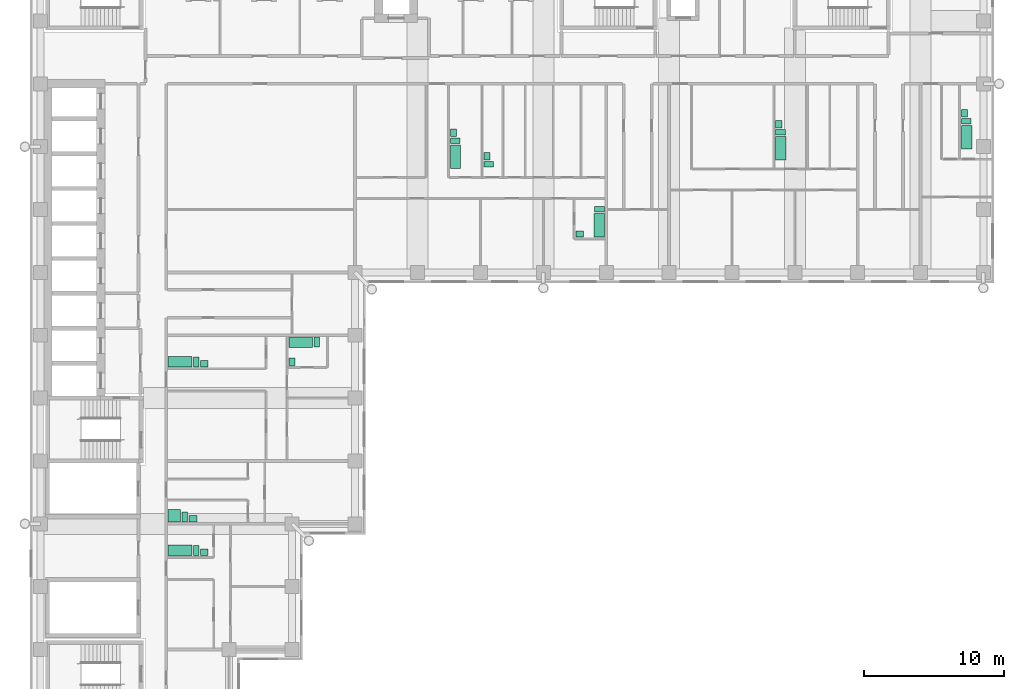
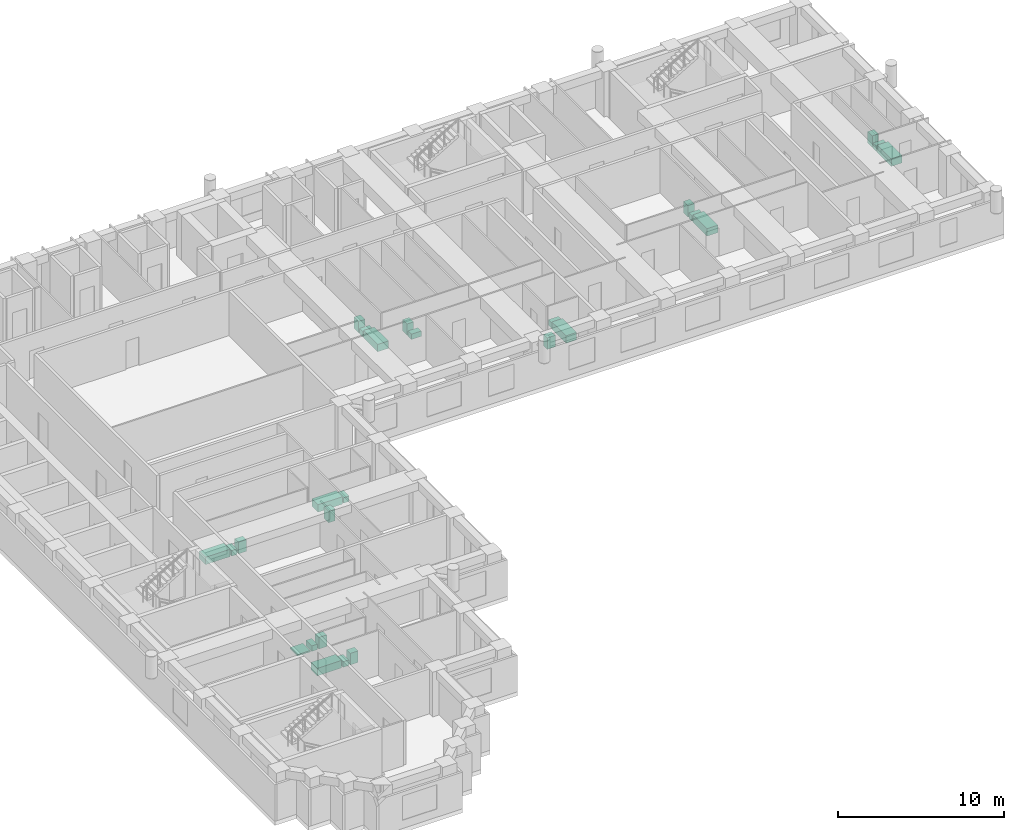
# One storey, part 14 of 14: 26 sanitary terminals.
"""IFC4 building model written with IfcOpenShell, lengths in metres."""

from ifc_helpers import new_model, si_unit, direction, frame, origin, origin_2d, place, context, subcontext, project, spatial, rectangle, extrude, material, type_object, element, save


model = new_model("IFC4")

# Units and contexts
model_context = context("Model", 3, precision=1e-05, world=origin(), true_north=direction((0.0, 1.0)))
body_context = subcontext(model_context, "Body", "Model", "MODEL_VIEW")
ifc_project = project(units=[si_unit("LENGTHUNIT", "METRE"), si_unit("AREAUNIT", "SQUARE_METRE"), si_unit("VOLUMEUNIT", "CUBIC_METRE"), si_unit("PLANEANGLEUNIT", "RADIAN"), si_unit("MASSUNIT", "GRAM", prefix="KILO")], contexts=[model_context])

# Site, building, storey
site_placement = place(None, origin())
site = spatial("IfcSite", under=ifc_project, at=site_placement, CompositionType="ELEMENT")
building_placement = place(site_placement, origin())
building = spatial("IfcBuilding", under=site, at=building_placement, Name="Firuza Court", CompositionType="ELEMENT")
storey_placement = place(building_placement, frame((0.0, 0.0, 159.199951171875)))
storey = spatial("IfcBuildingStorey", under=building, at=storey_placement, Name="L40", CompositionType="ELEMENT", Elevation=159.199951171875)

# Sanitary terminals
ifc_material_1 = material(Name="Vitreous china", Category="ceramic")
sanitary_terminal_type_1 = type_object("IfcSanitaryTerminalType", Name="Fixture Bath", PredefinedType="BATH", material=ifc_material_1)
for number, where, z_axis, x_axis, name in (
    (1, (29.705078125, 44.280029296875, 0.0), (0.0, 0.0, 1.0), (1.0, 0.0, 0.0), "Bath"),
    (2, (39.9951171875, 39.3798828125, 0.0), (0.0, 0.0, 1.0), (1.0, 0.0, 0.0), "Bath"),
    (3, (53.0048828125, 44.8798828125, 0.0), (0.0, 0.0, 1.0), (1.0, 0.0, 0.0), "Bath"),
    (4, (66.304931640625, 45.679931640625, 0.0), (0.0, 0.0, 1.0), (1.0, 0.0, 0.0), "Bath"),
):
    element("IfcSanitaryTerminal", number, at=place(storey_placement, frame(where, z_axis=z_axis, x_axis=x_axis)), inside=storey, type_object=sanitary_terminal_type_1, Name=name, PredefinedType="BATH", context=body_context, shape_type="SweptSolid", body=[
        extrude(rectangle(XDim=0.75, YDim=1.699951171875, at=origin_2d()), origin(), (0.0, 0.0, 1.0), 0.550048828125),
    ])
for number, where, z_axis, x_axis, name in (
    (5, (9.97998046875, 29.60498046875, 0.0), (0.0, 0.0, 1.0), (1.0, 0.0, 0.0), "Bath"),
    (6, (18.6298828125, 30.9951171875, 0.0), (0.0, 0.0, 1.0), (1.0, 0.0, 0.0), "Bath"),
    (7, (9.97998046875, 16.10498046875, 0.0), (0.0, 0.0, 1.0), (1.0, 0.0, 0.0), "Bath"),
):
    element("IfcSanitaryTerminal", number, at=place(storey_placement, frame(where, z_axis=z_axis, x_axis=x_axis)), inside=storey, type_object=sanitary_terminal_type_1, Name=name, PredefinedType="BATH", context=body_context, shape_type="SweptSolid", body=[
        extrude(rectangle(XDim=1.699951171875, YDim=0.75, at=origin_2d()), origin(), (0.0, 0.0, 1.0), 0.550048828125),
    ])
ifc_material_2 = material(Name="Vitreous china", Category="ceramic")
sanitary_terminal_type_2 = type_object("IfcSanitaryTerminalType", Name="Fixture Shower tray", PredefinedType="SHOWER", material=ifc_material_2)
sanitary_terminal_1_placement = place(storey_placement, frame((9.580078125, 18.580078125, 0.0), z_axis=(0.0, 0.0, 1.0), x_axis=(1.0, 0.0, 0.0)))
element("IfcSanitaryTerminal", 8, at=sanitary_terminal_1_placement, inside=storey, type_object=sanitary_terminal_type_2, Name="Shower tray", PredefinedType="SHOWER", context=body_context, shape_type="SweptSolid", body=[
    extrude(rectangle(XDim=0.89990234375, YDim=0.89990234375, at=origin_2d()), origin(), (0.0, 0.0, 1.0), 0.10009765625),
])
ifc_material_3 = material(Name="Vitreous china", Category="ceramic")
sanitary_terminal_type_3 = type_object("IfcSanitaryTerminalType", Name="Fixture WC pan", PredefinedType="TOILETPAN", material=ifc_material_3)
for number, where, z_axis, x_axis, name in (
    (9, (29.679931640625, 45.429931640625, 0.0), (0.0, 0.0, 1.0), (1.0, 0.0, 0.0), "WC pan"),
    (10, (32.080078125, 43.72998046875, 0.0), (0.0, 0.0, 1.0), (1.0, 0.0, 0.0), "WC pan"),
    (11, (40.02001953125, 40.530029296875, 0.0), (0.0, 0.0, 1.0), (1.0, 0.0, 0.0), "WC pan"),
    (12, (52.97998046875, 46.030029296875, 0.0), (0.0, 0.0, 1.0), (1.0, 0.0, 0.0), "WC pan"),
    (13, (66.280029296875, 46.830078125, 0.0), (0.0, 0.0, 1.0), (1.0, 0.0, 0.0), "WC pan"),
):
    element("IfcSanitaryTerminal", number, at=place(storey_placement, frame(where, z_axis=z_axis, x_axis=x_axis)), inside=storey, type_object=sanitary_terminal_type_3, Name=name, PredefinedType="TOILETPAN", context=body_context, shape_type="SweptSolid", body=[
        extrude(rectangle(XDim=0.699951171875, YDim=0.39990234375, at=origin_2d()), origin(), (0.0, 0.0, 1.0), 0.39990234375),
    ])
for number, where, z_axis, x_axis, name in (
    (14, (11.1298828125, 29.580078125, 0.0), (0.0, 0.0, 1.0), (1.0, 0.0, 0.0), "WC pan"),
    (15, (19.780029296875, 31.02001953125, 0.0), (0.0, 0.0, 1.0), (1.0, 0.0, 0.0), "WC pan"),
    (16, (10.330078125, 18.47998046875, 0.0), (0.0, 0.0, 1.0), (1.0, 0.0, 0.0), "WC pan"),
    (17, (11.1298828125, 16.080078125, 0.0), (0.0, 0.0, 1.0), (1.0, 0.0, 0.0), "WC pan"),
):
    element("IfcSanitaryTerminal", number, at=place(storey_placement, frame(where, z_axis=z_axis, x_axis=x_axis)), inside=storey, type_object=sanitary_terminal_type_3, Name=name, PredefinedType="TOILETPAN", context=body_context, shape_type="SweptSolid", body=[
        extrude(rectangle(XDim=0.39990234375, YDim=0.699951171875, at=origin_2d()), origin(), (0.0, 0.0, 1.0), 0.39990234375),
    ])
ifc_material_4 = material(Name="Vitreous china", Category="ceramic")
sanitary_terminal_type_4 = type_object("IfcSanitaryTerminalType", Name="Fixture Washbasin", PredefinedType="WASHHANDBASIN", material=ifc_material_4)
for number, where, z_axis, x_axis, name in (
    (18, (29.554931640625, 46.0048828125, 0.0), (0.0, 0.0, 1.0), (1.0, 0.0, 0.0), "Washbasin"),
    (19, (31.955078125, 44.304931640625, 0.0), (0.0, 0.0, 1.0), (1.0, 0.0, 0.0), "Washbasin"),
):
    element("IfcSanitaryTerminal", number, at=place(storey_placement, frame(where, z_axis=z_axis, x_axis=x_axis)), inside=storey, type_object=sanitary_terminal_type_4, Name=name, PredefinedType="WASHHANDBASIN", context=body_context, shape_type="SweptSolid", body=[
        extrude(rectangle(XDim=0.449951171875, YDim=0.550048828125, at=origin_2d()), origin(), (0.0, 0.0, 1.0), 0.85009765625),
    ])
sanitary_terminal_2_placement = place(storey_placement, frame((38.60498046875, 38.7548828125, 0.0), z_axis=(0.0, 0.0, 1.0), x_axis=(1.0, 0.0, 0.0)))
element("IfcSanitaryTerminal", 20, at=sanitary_terminal_2_placement, inside=storey, type_object=sanitary_terminal_type_4, Name="Washbasin", PredefinedType="WASHHANDBASIN", context=body_context, shape_type="SweptSolid", body=[
    extrude(rectangle(XDim=0.550048828125, YDim=0.449951171875, at=origin_2d()), origin(), (0.0, 0.0, 1.0), 0.85009765625),
])
for number, where, z_axis, x_axis, name in (
    (21, (52.85498046875, 46.60498046875, 0.0), (0.0, 0.0, 1.0), (1.0, 0.0, 0.0), "Washbasin"),
    (22, (66.155029296875, 47.405029296875, 0.0), (0.0, 0.0, 1.0), (1.0, 0.0, 0.0), "Washbasin"),
):
    element("IfcSanitaryTerminal", number, at=place(storey_placement, frame(where, z_axis=z_axis, x_axis=x_axis)), inside=storey, type_object=sanitary_terminal_type_4, Name=name, PredefinedType="WASHHANDBASIN", context=body_context, shape_type="SweptSolid", body=[
        extrude(rectangle(XDim=0.449951171875, YDim=0.550048828125, at=origin_2d()), origin(), (0.0, 0.0, 1.0), 0.85009765625),
    ])
sanitary_terminal_3_placement = place(storey_placement, frame((11.705078125, 29.455078125, 0.0), z_axis=(0.0, 0.0, 1.0), x_axis=(1.0, 0.0, 0.0)))
element("IfcSanitaryTerminal", 23, at=sanitary_terminal_3_placement, inside=storey, type_object=sanitary_terminal_type_4, Name="Washbasin", PredefinedType="WASHHANDBASIN", context=body_context, shape_type="SweptSolid", body=[
    extrude(rectangle(XDim=0.550048828125, YDim=0.449951171875, at=origin_2d()), origin(), (0.0, 0.0, 1.0), 0.85009765625),
])
sanitary_terminal_4_placement = place(storey_placement, frame((18.0048828125, 29.60498046875, 0.0), z_axis=(0.0, 0.0, 1.0), x_axis=(1.0, 0.0, 0.0)))
element("IfcSanitaryTerminal", 24, at=sanitary_terminal_4_placement, inside=storey, type_object=sanitary_terminal_type_4, Name="Washbasin", PredefinedType="WASHHANDBASIN", context=body_context, shape_type="SweptSolid", body=[
    extrude(rectangle(XDim=0.449951171875, YDim=0.550048828125, at=origin_2d()), origin(), (0.0, 0.0, 1.0), 0.85009765625),
])
for number, where, z_axis, x_axis, name in (
    (25, (10.905029296875, 18.35498046875, 0.0), (0.0, 0.0, 1.0), (1.0, 0.0, 0.0), "Washbasin"),
    (26, (11.705078125, 15.955078125, 0.0), (0.0, 0.0, 1.0), (1.0, 0.0, 0.0), "Washbasin"),
):
    element("IfcSanitaryTerminal", number, at=place(storey_placement, frame(where, z_axis=z_axis, x_axis=x_axis)), inside=storey, type_object=sanitary_terminal_type_4, Name=name, PredefinedType="WASHHANDBASIN", context=body_context, shape_type="SweptSolid", body=[
        extrude(rectangle(XDim=0.550048828125, YDim=0.449951171875, at=origin_2d()), origin(), (0.0, 0.0, 1.0), 0.85009765625),
    ])

save(model, "model.ifc")
